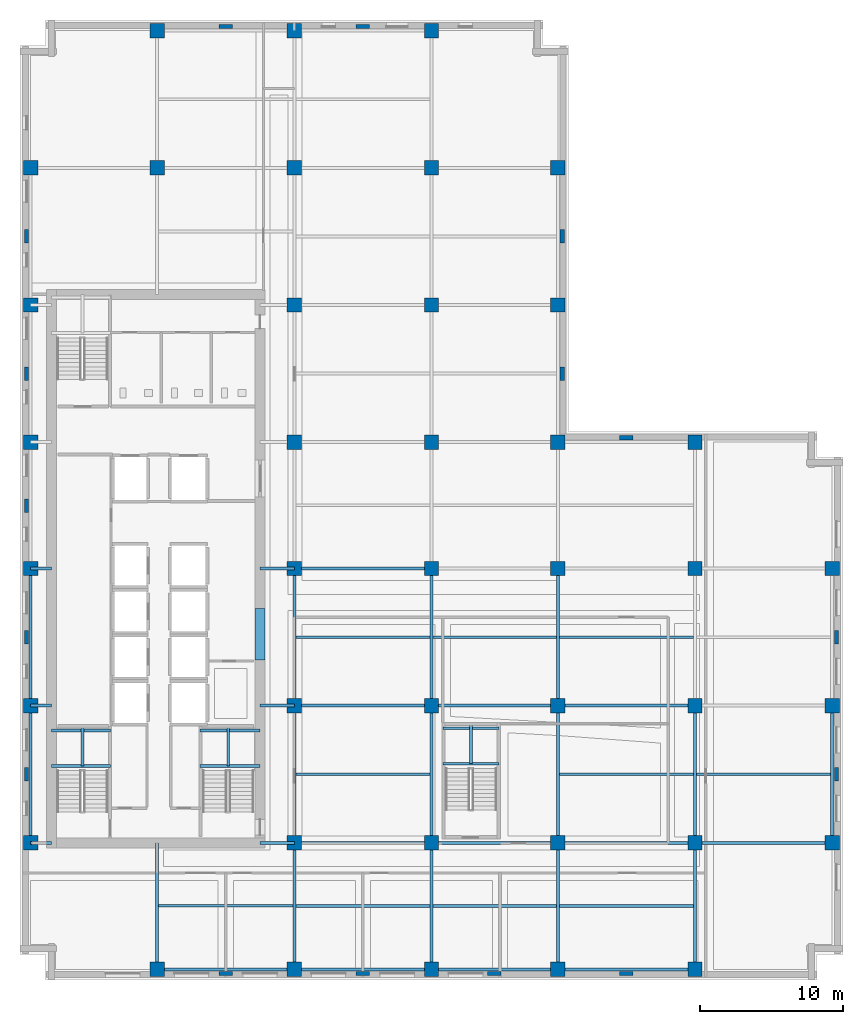
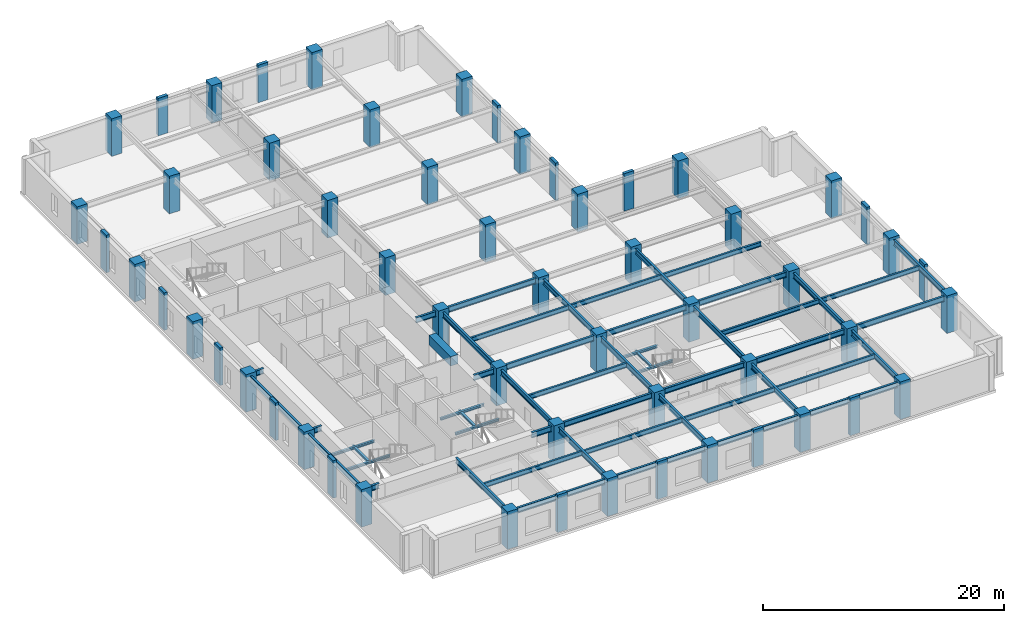
# One storey, part 1 of 11: 56 columns, 53 beams.
"""IFC4 building model written with IfcOpenShell, lengths in metres."""

from ifc_helpers import new_model, si_unit, direction, frame, origin, origin_2d, place, context, subcontext, project, spatial, rectangle, i_section, extrude, material, material_profile, profile_set, type_object, element, save


model = new_model("IFC4")

# Units and contexts
model_context = context("Model", 3, precision=1e-05, world=origin(), true_north=direction((0.0, 1.0)))
body_context = subcontext(model_context, "Body", "Model", "MODEL_VIEW")
ifc_project = project(units=[si_unit("LENGTHUNIT", "METRE"), si_unit("AREAUNIT", "SQUARE_METRE"), si_unit("VOLUMEUNIT", "CUBIC_METRE"), si_unit("PLANEANGLEUNIT", "RADIAN"), si_unit("MASSUNIT", "GRAM", prefix="KILO")], contexts=[model_context])

# Site, building, storey
site_placement = place(None, origin())
site = spatial("IfcSite", under=ifc_project, at=site_placement, CompositionType="ELEMENT")
building_placement = place(site_placement, origin())
building = spatial("IfcBuilding", under=site, at=building_placement, Name="Norrvale University Quadrangle", CompositionType="ELEMENT")
storey_placement = place(building_placement, frame((0.0, 0.0, 128.0)))
storey = spatial("IfcBuildingStorey", under=building, at=storey_placement, Name="L32", CompositionType="ELEMENT", Elevation=128.0)

# Columns
ifc_material_1 = material(Name="Red Manganese Brick Concrete C60/75", Category="concrete")
ifc_material_profile_1 = material_profile(ifc_material_1, rectangle(XDim=0.949951171875, YDim=0.300048828125, at=origin_2d()), Name="Red Manganese Brick Concrete C60/75")
ifc_profile_set_1 = profile_set([ifc_material_profile_1], Name="Red Manganese Brick Concrete C60/75")
column_type_1 = type_object("IfcColumnType", Name="Column Brick Pier 950x300", PredefinedType="PILASTER", material=ifc_profile_set_1)
for number, where, z_axis, x_axis, name in (
    (1, (0.449951171875, 14.39990234375, 0.0), (0.0, 0.0, 1.0), (0.0, 1.0, 0.0), "Exterior Brick Facade Pilaster L32-01"),
    (2, (0.449951171875, 24.0, 0.0), (0.0, 0.0, 1.0), (0.0, 1.0, 0.0), "Exterior Brick Facade Pilaster L32-02"),
    (3, (0.449951171875, 33.199951171875, 0.0), (0.0, 0.0, 1.0), (0.0, 1.0, 0.0), "Exterior Brick Facade Pilaster L32-03"),
    (4, (0.449951171875, 42.449951171875, 0.0), (0.0, 0.0, 1.0), (0.0, 1.0, 0.0), "Exterior Brick Facade Pilaster L32-04"),
    (5, (0.449951171875, 52.050048828125, 0.0), (0.0, 0.0, 1.0), (0.0, 1.0, 0.0), "Exterior Brick Facade Pilaster L32-05"),
    (6, (14.39990234375, 0.449951171875, 0.0), (0.0, 0.0, 1.0), (1.0, 0.0, 0.0), "Exterior Brick Facade Pilaster L32-06"),
    (7, (24.0, 0.449951171875, 0.0), (0.0, 0.0, 1.0), (1.0, 0.0, 0.0), "Exterior Brick Facade Pilaster L32-07"),
    (8, (33.199951171875, 0.449951171875, 0.0), (0.0, 0.0, 1.0), (1.0, 0.0, 0.0), "Exterior Brick Facade Pilaster L32-08"),
    (9, (42.449951171875, 0.449951171875, 0.0), (0.0, 0.0, 1.0), (1.0, 0.0, 0.0), "Exterior Brick Facade Pilaster L32-09"),
    (10, (57.14990234375, 14.39990234375, 0.0), (0.0, 0.0, 1.0), (0.0, 1.0, 0.0), "Exterior Brick Facade Pilaster L32-10"),
    (11, (57.14990234375, 24.0, 0.0), (0.0, 0.0, 1.0), (0.0, 1.0, 0.0), "Exterior Brick Facade Pilaster L32-11"),
    (12, (14.39990234375, 66.75, 0.0), (0.0, 0.0, 1.0), (1.0, 0.0, 0.0), "Exterior Brick Facade Pilaster L32-12"),
    (13, (24.0, 66.75, 0.0), (0.0, 0.0, 1.0), (1.0, 0.0, 0.0), "Exterior Brick Facade Pilaster L32-13"),
    (14, (37.949951171875, 42.449951171875, 0.0), (0.0, 0.0, 1.0), (0.0, 1.0, 0.0), "Exterior Brick Facade Pilaster L32-14"),
    (15, (37.949951171875, 52.050048828125, 0.0), (0.0, 0.0, 1.0), (0.0, 1.0, 0.0), "Exterior Brick Facade Pilaster L32-15"),
    (16, (42.449951171875, 37.949951171875, 0.0), (0.0, 0.0, 1.0), (1.0, 0.0, 0.0), "Exterior Brick Facade Pilaster L32-16"),
):
    element("IfcColumn", number, at=place(storey_placement, frame(where, z_axis=z_axis, x_axis=x_axis)), inside=storey, type_object=column_type_1, Name=name, PredefinedType="PILASTER", context=body_context, shape_type="SweptSolid", body=[
        extrude(rectangle(XDim=0.949951171875, YDim=0.300048828125, at=origin_2d()), origin(), (0.0, 0.0, 1.0), 3.800048828125),
    ])
ifc_material_2 = material(Name="Concrete C60/75", Category="concrete")
ifc_material_profile_2 = material_profile(ifc_material_2, rectangle(XDim=1.0, YDim=1.0, at=origin_2d()), Name="Concrete C60/75")
ifc_profile_set_2 = profile_set([ifc_material_profile_2], Name="Concrete C60/75")
column_type_2 = type_object("IfcColumnType", Name="Column Tower Z2 1000x1000", PredefinedType="COLUMN", material=ifc_profile_set_2)
for number, where, z_axis, x_axis, name in (
    (17, (0.75, 9.60009765625, 0.0), (0.0, 0.0, 1.0), (1.0, 0.0, 0.0), "Tower Column L32-T01"),
    (18, (0.75, 19.199951171875, 0.0), (0.0, 0.0, 1.0), (1.0, 0.0, 0.0), "Tower Column L32-T02"),
    (19, (0.75, 28.800048828125, 0.0), (0.0, 0.0, 1.0), (1.0, 0.0, 0.0), "Tower Column L32-T03"),
    (20, (0.75, 37.64990234375, 0.0), (0.0, 0.0, 1.0), (1.0, 0.0, 0.0), "Tower Column L32-T04"),
    (21, (0.75, 47.25, 0.0), (0.0, 0.0, 1.0), (1.0, 0.0, 0.0), "Tower Column L32-T05"),
    (22, (0.75, 56.85009765625, 0.0), (0.0, 0.0, 1.0), (1.0, 0.0, 0.0), "Tower Column L32-T06"),
    (23, (9.60009765625, 0.75, 0.0), (0.0, 0.0, 1.0), (1.0, 0.0, 0.0), "Tower Column L32-T07"),
    (24, (9.60009765625, 56.85009765625, 0.0), (0.0, 0.0, 1.0), (1.0, 0.0, 0.0), "Tower Column L32-T08"),
    (25, (9.60009765625, 66.449951171875, 0.0), (0.0, 0.0, 1.0), (1.0, 0.0, 0.0), "Tower Column L32-T09"),
    (26, (19.199951171875, 0.75, 0.0), (0.0, 0.0, 1.0), (1.0, 0.0, 0.0), "Tower Column L32-T10"),
    (27, (19.199951171875, 9.60009765625, 0.0), (0.0, 0.0, 1.0), (1.0, 0.0, 0.0), "Tower Column L32-T11"),
    (28, (19.199951171875, 19.199951171875, 0.0), (0.0, 0.0, 1.0), (1.0, 0.0, 0.0), "Tower Column L32-T12"),
    (29, (19.199951171875, 28.800048828125, 0.0), (0.0, 0.0, 1.0), (1.0, 0.0, 0.0), "Tower Column L32-T13"),
    (30, (19.199951171875, 37.64990234375, 0.0), (0.0, 0.0, 1.0), (1.0, 0.0, 0.0), "Tower Column L32-T14"),
    (31, (19.199951171875, 47.25, 0.0), (0.0, 0.0, 1.0), (1.0, 0.0, 0.0), "Tower Column L32-T15"),
    (32, (19.199951171875, 56.85009765625, 0.0), (0.0, 0.0, 1.0), (1.0, 0.0, 0.0), "Tower Column L32-T16"),
    (33, (19.199951171875, 66.449951171875, 0.0), (0.0, 0.0, 1.0), (1.0, 0.0, 0.0), "Tower Column L32-T17"),
    (34, (28.800048828125, 0.75, 0.0), (0.0, 0.0, 1.0), (1.0, 0.0, 0.0), "Tower Column L32-T18"),
    (35, (28.800048828125, 9.60009765625, 0.0), (0.0, 0.0, 1.0), (1.0, 0.0, 0.0), "Tower Column L32-T19"),
    (36, (28.800048828125, 19.199951171875, 0.0), (0.0, 0.0, 1.0), (1.0, 0.0, 0.0), "Tower Column L32-T20"),
    (37, (28.800048828125, 28.800048828125, 0.0), (0.0, 0.0, 1.0), (1.0, 0.0, 0.0), "Tower Column L32-T21"),
    (38, (28.800048828125, 37.64990234375, 0.0), (0.0, 0.0, 1.0), (1.0, 0.0, 0.0), "Tower Column L32-T22"),
    (39, (28.800048828125, 47.25, 0.0), (0.0, 0.0, 1.0), (1.0, 0.0, 0.0), "Tower Column L32-T23"),
    (40, (28.800048828125, 56.85009765625, 0.0), (0.0, 0.0, 1.0), (1.0, 0.0, 0.0), "Tower Column L32-T24"),
    (41, (28.800048828125, 66.449951171875, 0.0), (0.0, 0.0, 1.0), (1.0, 0.0, 0.0), "Tower Column L32-T25"),
    (42, (37.64990234375, 0.75, 0.0), (0.0, 0.0, 1.0), (1.0, 0.0, 0.0), "Tower Column L32-T26"),
    (43, (37.64990234375, 9.60009765625, 0.0), (0.0, 0.0, 1.0), (1.0, 0.0, 0.0), "Tower Column L32-T27"),
    (44, (37.64990234375, 19.199951171875, 0.0), (0.0, 0.0, 1.0), (1.0, 0.0, 0.0), "Tower Column L32-T28"),
    (45, (37.64990234375, 28.800048828125, 0.0), (0.0, 0.0, 1.0), (1.0, 0.0, 0.0), "Tower Column L32-T29"),
    (46, (37.64990234375, 37.64990234375, 0.0), (0.0, 0.0, 1.0), (1.0, 0.0, 0.0), "Tower Column L32-T30"),
    (47, (37.64990234375, 47.25, 0.0), (0.0, 0.0, 1.0), (1.0, 0.0, 0.0), "Tower Column L32-T31"),
    (48, (37.64990234375, 56.85009765625, 0.0), (0.0, 0.0, 1.0), (1.0, 0.0, 0.0), "Tower Column L32-T32"),
    (49, (47.25, 0.75, 0.0), (0.0, 0.0, 1.0), (1.0, 0.0, 0.0), "Tower Column L32-T33"),
    (50, (47.25, 9.60009765625, 0.0), (0.0, 0.0, 1.0), (1.0, 0.0, 0.0), "Tower Column L32-T34"),
    (51, (47.25, 19.199951171875, 0.0), (0.0, 0.0, 1.0), (1.0, 0.0, 0.0), "Tower Column L32-T35"),
    (52, (47.25, 28.800048828125, 0.0), (0.0, 0.0, 1.0), (1.0, 0.0, 0.0), "Tower Column L32-T36"),
    (53, (47.25, 37.64990234375, 0.0), (0.0, 0.0, 1.0), (1.0, 0.0, 0.0), "Tower Column L32-T37"),
    (54, (56.85009765625, 9.60009765625, 0.0), (0.0, 0.0, 1.0), (1.0, 0.0, 0.0), "Tower Column L32-T38"),
    (55, (56.85009765625, 19.199951171875, 0.0), (0.0, 0.0, 1.0), (1.0, 0.0, 0.0), "Tower Column L32-T39"),
    (56, (56.85009765625, 28.800048828125, 0.0), (0.0, 0.0, 1.0), (1.0, 0.0, 0.0), "Tower Column L32-T40"),
):
    element("IfcColumn", number, at=place(storey_placement, frame(where, z_axis=z_axis, x_axis=x_axis)), inside=storey, type_object=column_type_2, Name=name, PredefinedType="COLUMN", context=body_context, shape_type="SweptSolid", body=[
        extrude(rectangle(XDim=1.0, YDim=1.0, at=origin_2d()), origin(), (0.0, 0.0, 1.0), 3.800048828125),
    ])

# Beams
ifc_material_3 = material(Name="Concrete C80/95", Category="concrete")
ifc_material_profile_3 = material_profile(ifc_material_3, rectangle(XDim=0.699951171875, YDim=0.949951171875, at=origin_2d()), Name="Concrete C80/95")
ifc_profile_set_3 = profile_set([ifc_material_profile_3], Name="Concrete C80/95")
beam_type_1 = type_object("IfcBeamType", Name="Beam Core Link 700x950", PredefinedType="LINTEL", material=ifc_profile_set_3)
beam_1_placement = place(storey_placement, frame((16.800048828125, 22.39990234375, 3.06494140625), z_axis=(0.0, 1.0, 0.0), x_axis=(-1.0, 0.0, 0.0)))
element("IfcBeam", 57, at=beam_1_placement, inside=storey, type_object=beam_type_1, Name="Core Coupling Lintel Beam L32-1", PredefinedType="LINTEL", context=body_context, shape_type="SweptSolid", body=[
    extrude(rectangle(XDim=0.699951171875, YDim=0.949951171875, at=origin_2d()), origin(), (0.0, 0.0, 1.0), 3.60009765625),
])
ifc_material_4 = material(Name="Steel 350W", Category="steel")
ifc_material_profile_4 = material_profile(ifc_material_4, i_section(OverallWidth=0.18994140625, OverallDepth=0.45703125, WebThickness=0.009033203125, FlangeThickness=0.014404296875, FilletRadius=0.012939453125, at=origin_2d()), Name="Steel 350W")
ifc_profile_set_4 = profile_set([ifc_material_profile_4], Name="Steel 350W")
beam_type_2 = type_object("IfcBeamType", Name="Beam Floor W460x74", PredefinedType="JOIST", material=ifc_profile_set_4)
for number, where, z_axis, x_axis, name in (
    (58, (19.305908203125, 5.175048828125, 3.3115234375), (1.0, 0.0, 0.0), (0.0, 1.0, 0.0), "Beam Floor W460x74 BM-L32-J071"),
    (59, (19.305908203125, 14.39990234375, 3.3115234375), (1.0, 0.0, 0.0), (0.0, 1.0, 0.0), "Beam Floor W460x74 BM-L32-J072"),
    (60, (19.305908203125, 24.0, 3.3115234375), (1.0, 0.0, 0.0), (0.0, 1.0, 0.0), "Beam Floor W460x74 BM-L32-J073"),
):
    element("IfcBeam", number, at=place(storey_placement, frame(where, z_axis=z_axis, x_axis=x_axis)), inside=storey, type_object=beam_type_2, Name=name, PredefinedType="JOIST", context=body_context, shape_type="SweptSolid", body=[
        extrude(i_section(OverallWidth=0.18994140625, OverallDepth=0.45703125, WebThickness=0.009033203125, FlangeThickness=0.014404296875, FilletRadius=0.012939453125, at=origin_2d()), origin(), (0.0, 0.0, 1.0), 9.38818359375),
    ])
for number, where, z_axis, x_axis, name in (
    (61, (28.906005859375, 5.175048828125, 3.3115234375), (1.0, 0.0, 0.0), (0.0, 1.0, 0.0), "Beam Floor W460x74 BM-L32-J078"),
    (62, (28.906005859375, 24.0, 3.3115234375), (1.0, 0.0, 0.0), (0.0, 1.0, 0.0), "Beam Floor W460x74 BM-L32-J079"),
):
    element("IfcBeam", number, at=place(storey_placement, frame(where, z_axis=z_axis, x_axis=x_axis)), inside=storey, type_object=beam_type_2, Name=name, PredefinedType="JOIST", context=body_context, shape_type="SweptSolid", body=[
        extrude(i_section(OverallWidth=0.18994140625, OverallDepth=0.45703125, WebThickness=0.009033203125, FlangeThickness=0.014404296875, FilletRadius=0.012939453125, at=origin_2d()), origin(), (0.0, 0.0, 1.0), 8.637939453125),
    ])
for number, where, z_axis, x_axis, name in (
    (63, (37.756103515625, 5.175048828125, 3.3115234375), (1.0, 0.0, 0.0), (0.0, 1.0, 0.0), "Beam Floor W460x74 BM-L32-J083"),
    (64, (37.756103515625, 14.39990234375, 3.3115234375), (1.0, 0.0, 0.0), (0.0, 1.0, 0.0), "Beam Floor W460x74 BM-L32-J084"),
    (65, (37.756103515625, 24.0, 3.3115234375), (1.0, 0.0, 0.0), (0.0, 1.0, 0.0), "Beam Floor W460x74 BM-L32-J085"),
    (66, (47.35595703125, 14.39990234375, 3.3115234375), (1.0, 0.0, 0.0), (0.0, 1.0, 0.0), "Beam Floor W460x74 BM-L32-J087"),
    (67, (9.7060546875, 5.199951171875, 3.3115234375), (1.0, 0.0, 0.0), (0.0, 1.0, 0.0), "Beam Floor W460x74 BM-L32-JCS090"),
):
    element("IfcBeam", number, at=place(storey_placement, frame(where, z_axis=z_axis, x_axis=x_axis)), inside=storey, type_object=beam_type_2, Name=name, PredefinedType="JOIST", context=body_context, shape_type="SweptSolid", body=[
        extrude(i_section(OverallWidth=0.18994140625, OverallDepth=0.45703125, WebThickness=0.009033203125, FlangeThickness=0.014404296875, FilletRadius=0.012939453125, at=origin_2d()), origin(), (0.0, 0.0, 1.0), 9.387939453125),
    ])
ifc_material_profile_5 = material_profile(ifc_material_4, i_section(OverallWidth=0.2119140625, OverallDepth=0.5439453125, WebThickness=0.01318359375, FlangeThickness=0.021240234375, FilletRadius=0.013916015625, at=origin_2d()), Name="Steel 350W")
ifc_profile_set_5 = profile_set([ifc_material_profile_5], Name="Steel 350W")
beam_type_3 = type_object("IfcBeamType", Name="Beam Floor W530x123", PredefinedType="BEAM", material=ifc_profile_set_5)
beam_2_placement = place(storey_placement, frame((9.60009765625, 0.75, 3.26806640625), z_axis=(1.0, 0.0, 0.0), x_axis=(0.0, 1.0, 0.0)))
element("IfcBeam", 68, at=beam_2_placement, inside=storey, type_object=beam_type_3, Name="Beam Floor W530x123 BM-L32-GX001", PredefinedType="BEAM", context=body_context, shape_type="SweptSolid", body=[
    extrude(i_section(OverallWidth=0.2119140625, OverallDepth=0.5439453125, WebThickness=0.01318359375, FlangeThickness=0.021240234375, FilletRadius=0.013916015625, at=origin_2d()), origin(), (0.0, 0.0, 1.0), 9.599853515625),
])
beam_3_placement = place(storey_placement, frame((19.199951171875, 0.75, 3.26806640625), z_axis=(1.0, 0.0, 0.0), x_axis=(0.0, 1.0, 0.0)))
element("IfcBeam", 69, at=beam_3_placement, inside=storey, type_object=beam_type_3, Name="Beam Floor W530x123 BM-L32-GX002", PredefinedType="BEAM", context=body_context, shape_type="SweptSolid", body=[
    extrude(i_section(OverallWidth=0.2119140625, OverallDepth=0.5439453125, WebThickness=0.01318359375, FlangeThickness=0.021240234375, FilletRadius=0.013916015625, at=origin_2d()), origin(), (0.0, 0.0, 1.0), 9.60009765625),
])
beam_4_placement = place(storey_placement, frame((28.800048828125, 0.75, 3.26806640625), z_axis=(1.0, 0.0, 0.0), x_axis=(0.0, 1.0, 0.0)))
element("IfcBeam", 70, at=beam_4_placement, inside=storey, type_object=beam_type_3, Name="Beam Floor W530x123 BM-L32-GX003", PredefinedType="BEAM", context=body_context, shape_type="SweptSolid", body=[
    extrude(i_section(OverallWidth=0.2119140625, OverallDepth=0.5439453125, WebThickness=0.01318359375, FlangeThickness=0.021240234375, FilletRadius=0.013916015625, at=origin_2d()), origin(), (0.0, 0.0, 1.0), 8.849853515625),
])
for number, where, z_axis, x_axis, name in (
    (71, (37.64990234375, 0.75, 3.26806640625), (1.0, 0.0, 0.0), (0.0, 1.0, 0.0), "Beam Floor W530x123 BM-L32-GX004"),
    (72, (19.199951171875, 9.60009765625, 3.26806640625), (1.0, 0.0, 0.0), (0.0, 1.0, 0.0), "Beam Floor W530x123 BM-L32-GX005"),
):
    element("IfcBeam", number, at=place(storey_placement, frame(where, z_axis=z_axis, x_axis=x_axis)), inside=storey, type_object=beam_type_3, Name=name, PredefinedType="BEAM", context=body_context, shape_type="SweptSolid", body=[
        extrude(i_section(OverallWidth=0.2119140625, OverallDepth=0.5439453125, WebThickness=0.01318359375, FlangeThickness=0.021240234375, FilletRadius=0.013916015625, at=origin_2d()), origin(), (0.0, 0.0, 1.0), 9.60009765625),
    ])
beam_5_placement = place(storey_placement, frame((28.800048828125, 9.60009765625, 3.26806640625), z_axis=(1.0, 0.0, 0.0), x_axis=(0.0, 1.0, 0.0)))
element("IfcBeam", 73, at=beam_5_placement, inside=storey, type_object=beam_type_3, Name="Beam Floor W530x123 BM-L32-GX006", PredefinedType="BEAM", context=body_context, shape_type="SweptSolid", body=[
    extrude(i_section(OverallWidth=0.2119140625, OverallDepth=0.5439453125, WebThickness=0.01318359375, FlangeThickness=0.021240234375, FilletRadius=0.013916015625, at=origin_2d()), origin(), (0.0, 0.0, 1.0), 8.849853515625),
])
for number, where, z_axis, x_axis, name in (
    (74, (37.64990234375, 9.60009765625, 3.26806640625), (1.0, 0.0, 0.0), (0.0, 1.0, 0.0), "Beam Floor W530x123 BM-L32-GX007"),
    (75, (47.25, 9.60009765625, 3.26806640625), (1.0, 0.0, 0.0), (0.0, 1.0, 0.0), "Beam Floor W530x123 BM-L32-GX008"),
    (76, (19.199951171875, 19.199951171875, 3.26806640625), (1.0, 0.0, 0.0), (0.0, 1.0, 0.0), "Beam Floor W530x123 BM-L32-GX009"),
):
    element("IfcBeam", number, at=place(storey_placement, frame(where, z_axis=z_axis, x_axis=x_axis)), inside=storey, type_object=beam_type_3, Name=name, PredefinedType="BEAM", context=body_context, shape_type="SweptSolid", body=[
        extrude(i_section(OverallWidth=0.2119140625, OverallDepth=0.5439453125, WebThickness=0.01318359375, FlangeThickness=0.021240234375, FilletRadius=0.013916015625, at=origin_2d()), origin(), (0.0, 0.0, 1.0), 9.60009765625),
    ])
beam_6_placement = place(storey_placement, frame((28.800048828125, 19.199951171875, 3.26806640625), z_axis=(1.0, 0.0, 0.0), x_axis=(0.0, 1.0, 0.0)))
element("IfcBeam", 77, at=beam_6_placement, inside=storey, type_object=beam_type_3, Name="Beam Floor W530x123 BM-L32-GX010", PredefinedType="BEAM", context=body_context, shape_type="SweptSolid", body=[
    extrude(i_section(OverallWidth=0.2119140625, OverallDepth=0.5439453125, WebThickness=0.01318359375, FlangeThickness=0.021240234375, FilletRadius=0.013916015625, at=origin_2d()), origin(), (0.0, 0.0, 1.0), 8.849853515625),
])
for number, where, z_axis, x_axis, name in (
    (78, (37.64990234375, 19.199951171875, 3.26806640625), (1.0, 0.0, 0.0), (0.0, 1.0, 0.0), "Beam Floor W530x123 BM-L32-GX011"),
    (79, (19.199951171875, 28.800048828125, 3.26806640625), (1.0, 0.0, 0.0), (0.0, 1.0, 0.0), "Beam Floor W530x123 BM-L32-GX013"),
):
    element("IfcBeam", number, at=place(storey_placement, frame(where, z_axis=z_axis, x_axis=x_axis)), inside=storey, type_object=beam_type_3, Name=name, PredefinedType="BEAM", context=body_context, shape_type="SweptSolid", body=[
        extrude(i_section(OverallWidth=0.2119140625, OverallDepth=0.5439453125, WebThickness=0.01318359375, FlangeThickness=0.021240234375, FilletRadius=0.013916015625, at=origin_2d()), origin(), (0.0, 0.0, 1.0), 9.60009765625),
    ])
beam_7_placement = place(storey_placement, frame((0.75, 9.60009765625, 3.26806640625), z_axis=(0.0, 1.0, 0.0), x_axis=(-1.0, 0.0, 0.0)))
element("IfcBeam", 80, at=beam_7_placement, inside=storey, type_object=beam_type_3, Name="Beam Floor W530x123 BM-L32-GY028", PredefinedType="BEAM", context=body_context, shape_type="SweptSolid", body=[
    extrude(i_section(OverallWidth=0.2119140625, OverallDepth=0.5439453125, WebThickness=0.01318359375, FlangeThickness=0.021240234375, FilletRadius=0.013916015625, at=origin_2d()), origin(), (0.0, 0.0, 1.0), 9.599853515625),
])
beam_8_placement = place(storey_placement, frame((0.75, 19.199951171875, 3.26806640625), z_axis=(0.0, 1.0, 0.0), x_axis=(-1.0, 0.0, 0.0)))
element("IfcBeam", 81, at=beam_8_placement, inside=storey, type_object=beam_type_3, Name="Beam Floor W530x123 BM-L32-GY029", PredefinedType="BEAM", context=body_context, shape_type="SweptSolid", body=[
    extrude(i_section(OverallWidth=0.2119140625, OverallDepth=0.5439453125, WebThickness=0.01318359375, FlangeThickness=0.021240234375, FilletRadius=0.013916015625, at=origin_2d()), origin(), (0.0, 0.0, 1.0), 9.60009765625),
])
beam_9_placement = place(storey_placement, frame((19.199951171875, 0.75, 3.26806640625), z_axis=(0.0, 1.0, 0.0), x_axis=(-1.0, 0.0, 0.0)))
element("IfcBeam", 82, at=beam_9_placement, inside=storey, type_object=beam_type_3, Name="Beam Floor W530x123 BM-L32-GY034", PredefinedType="BEAM", context=body_context, shape_type="SweptSolid", body=[
    extrude(i_section(OverallWidth=0.2119140625, OverallDepth=0.5439453125, WebThickness=0.01318359375, FlangeThickness=0.021240234375, FilletRadius=0.013916015625, at=origin_2d()), origin(), (0.0, 0.0, 1.0), 8.85009765625),
])
beam_10_placement = place(storey_placement, frame((19.199951171875, 9.60009765625, 3.26806640625), z_axis=(0.0, 1.0, 0.0), x_axis=(-1.0, 0.0, 0.0)))
element("IfcBeam", 83, at=beam_10_placement, inside=storey, type_object=beam_type_3, Name="Beam Floor W530x123 BM-L32-GY035", PredefinedType="BEAM", context=body_context, shape_type="SweptSolid", body=[
    extrude(i_section(OverallWidth=0.2119140625, OverallDepth=0.5439453125, WebThickness=0.01318359375, FlangeThickness=0.021240234375, FilletRadius=0.013916015625, at=origin_2d()), origin(), (0.0, 0.0, 1.0), 9.599853515625),
])
beam_11_placement = place(storey_placement, frame((19.199951171875, 19.199951171875, 3.26806640625), z_axis=(0.0, 1.0, 0.0), x_axis=(-1.0, 0.0, 0.0)))
element("IfcBeam", 84, at=beam_11_placement, inside=storey, type_object=beam_type_3, Name="Beam Floor W530x123 BM-L32-GY036", PredefinedType="BEAM", context=body_context, shape_type="SweptSolid", body=[
    extrude(i_section(OverallWidth=0.2119140625, OverallDepth=0.5439453125, WebThickness=0.01318359375, FlangeThickness=0.021240234375, FilletRadius=0.013916015625, at=origin_2d()), origin(), (0.0, 0.0, 1.0), 9.60009765625),
])
beam_12_placement = place(storey_placement, frame((28.800048828125, 0.75, 3.26806640625), z_axis=(0.0, 1.0, 0.0), x_axis=(-1.0, 0.0, 0.0)))
element("IfcBeam", 85, at=beam_12_placement, inside=storey, type_object=beam_type_3, Name="Beam Floor W530x123 BM-L32-GY041", PredefinedType="BEAM", context=body_context, shape_type="SweptSolid", body=[
    extrude(i_section(OverallWidth=0.2119140625, OverallDepth=0.5439453125, WebThickness=0.01318359375, FlangeThickness=0.021240234375, FilletRadius=0.013916015625, at=origin_2d()), origin(), (0.0, 0.0, 1.0), 8.85009765625),
])
beam_13_placement = place(storey_placement, frame((28.800048828125, 9.60009765625, 3.26806640625), z_axis=(0.0, 1.0, 0.0), x_axis=(-1.0, 0.0, 0.0)))
element("IfcBeam", 86, at=beam_13_placement, inside=storey, type_object=beam_type_3, Name="Beam Floor W530x123 BM-L32-GY042", PredefinedType="BEAM", context=body_context, shape_type="SweptSolid", body=[
    extrude(i_section(OverallWidth=0.2119140625, OverallDepth=0.5439453125, WebThickness=0.01318359375, FlangeThickness=0.021240234375, FilletRadius=0.013916015625, at=origin_2d()), origin(), (0.0, 0.0, 1.0), 9.599853515625),
])
beam_14_placement = place(storey_placement, frame((28.800048828125, 19.199951171875, 3.26806640625), z_axis=(0.0, 1.0, 0.0), x_axis=(-1.0, 0.0, 0.0)))
element("IfcBeam", 87, at=beam_14_placement, inside=storey, type_object=beam_type_3, Name="Beam Floor W530x123 BM-L32-GY043", PredefinedType="BEAM", context=body_context, shape_type="SweptSolid", body=[
    extrude(i_section(OverallWidth=0.2119140625, OverallDepth=0.5439453125, WebThickness=0.01318359375, FlangeThickness=0.021240234375, FilletRadius=0.013916015625, at=origin_2d()), origin(), (0.0, 0.0, 1.0), 9.60009765625),
])
beam_15_placement = place(storey_placement, frame((37.64990234375, 0.75, 3.26806640625), z_axis=(0.0, 1.0, 0.0), x_axis=(-1.0, 0.0, 0.0)))
element("IfcBeam", 88, at=beam_15_placement, inside=storey, type_object=beam_type_3, Name="Beam Floor W530x123 BM-L32-GY048", PredefinedType="BEAM", context=body_context, shape_type="SweptSolid", body=[
    extrude(i_section(OverallWidth=0.2119140625, OverallDepth=0.5439453125, WebThickness=0.01318359375, FlangeThickness=0.021240234375, FilletRadius=0.013916015625, at=origin_2d()), origin(), (0.0, 0.0, 1.0), 8.85009765625),
])
beam_16_placement = place(storey_placement, frame((37.64990234375, 9.60009765625, 3.26806640625), z_axis=(0.0, 1.0, 0.0), x_axis=(-1.0, 0.0, 0.0)))
element("IfcBeam", 89, at=beam_16_placement, inside=storey, type_object=beam_type_3, Name="Beam Floor W530x123 BM-L32-GY049", PredefinedType="BEAM", context=body_context, shape_type="SweptSolid", body=[
    extrude(i_section(OverallWidth=0.2119140625, OverallDepth=0.5439453125, WebThickness=0.01318359375, FlangeThickness=0.021240234375, FilletRadius=0.013916015625, at=origin_2d()), origin(), (0.0, 0.0, 1.0), 9.599853515625),
])
beam_17_placement = place(storey_placement, frame((37.64990234375, 19.199951171875, 3.26806640625), z_axis=(0.0, 1.0, 0.0), x_axis=(-1.0, 0.0, 0.0)))
element("IfcBeam", 90, at=beam_17_placement, inside=storey, type_object=beam_type_3, Name="Beam Floor W530x123 BM-L32-GY050", PredefinedType="BEAM", context=body_context, shape_type="SweptSolid", body=[
    extrude(i_section(OverallWidth=0.2119140625, OverallDepth=0.5439453125, WebThickness=0.01318359375, FlangeThickness=0.021240234375, FilletRadius=0.013916015625, at=origin_2d()), origin(), (0.0, 0.0, 1.0), 9.60009765625),
])
beam_18_placement = place(storey_placement, frame((47.25, 0.75, 3.26806640625), z_axis=(0.0, 1.0, 0.0), x_axis=(-1.0, 0.0, 0.0)))
element("IfcBeam", 91, at=beam_18_placement, inside=storey, type_object=beam_type_3, Name="Beam Floor W530x123 BM-L32-GY054", PredefinedType="BEAM", context=body_context, shape_type="SweptSolid", body=[
    extrude(i_section(OverallWidth=0.2119140625, OverallDepth=0.5439453125, WebThickness=0.01318359375, FlangeThickness=0.021240234375, FilletRadius=0.013916015625, at=origin_2d()), origin(), (0.0, 0.0, 1.0), 8.85009765625),
])
for number, where, z_axis, x_axis, name in (
    (92, (47.25, 9.60009765625, 3.26806640625), (0.0, 1.0, 0.0), (-1.0, 0.0, 0.0), "Beam Floor W530x123 BM-L32-GY055"),
    (93, (56.85009765625, 9.60009765625, 3.26806640625), (0.0, 1.0, 0.0), (-1.0, 0.0, 0.0), "Beam Floor W530x123 BM-L32-GY058"),
):
    element("IfcBeam", number, at=place(storey_placement, frame(where, z_axis=z_axis, x_axis=x_axis)), inside=storey, type_object=beam_type_3, Name=name, PredefinedType="BEAM", context=body_context, shape_type="SweptSolid", body=[
        extrude(i_section(OverallWidth=0.2119140625, OverallDepth=0.5439453125, WebThickness=0.01318359375, FlangeThickness=0.021240234375, FilletRadius=0.013916015625, at=origin_2d()), origin(), (0.0, 0.0, 1.0), 9.599853515625),
    ])
beam_19_placement = place(storey_placement, frame((0.75, 9.60009765625, 3.26806640625), z_axis=(1.0, 0.0, 0.0), x_axis=(0.0, 1.0, 0.0)))
element("IfcBeam", 94, at=beam_19_placement, inside=storey, type_object=beam_type_3, Name="Beam Floor W530x123 BM-L32-GCW060", PredefinedType="BEAM", context=body_context, shape_type="SweptSolid", body=[
    extrude(i_section(OverallWidth=0.2119140625, OverallDepth=0.5439453125, WebThickness=0.01318359375, FlangeThickness=0.021240234375, FilletRadius=0.013916015625, at=origin_2d()), origin(), (0.0, 0.0, 1.0), 1.449951171875),
])
beam_20_placement = place(storey_placement, frame((16.800048828125, 9.60009765625, 3.26806640625), z_axis=(1.0, 0.0, 0.0), x_axis=(0.0, 1.0, 0.0)))
element("IfcBeam", 95, at=beam_20_placement, inside=storey, type_object=beam_type_3, Name="Beam Floor W530x123 BM-L32-GCE061", PredefinedType="BEAM", context=body_context, shape_type="SweptSolid", body=[
    extrude(i_section(OverallWidth=0.2119140625, OverallDepth=0.5439453125, WebThickness=0.01318359375, FlangeThickness=0.021240234375, FilletRadius=0.013916015625, at=origin_2d()), origin(), (0.0, 0.0, 1.0), 2.39990234375),
])
beam_21_placement = place(storey_placement, frame((0.75, 19.199951171875, 3.26806640625), z_axis=(1.0, 0.0, 0.0), x_axis=(0.0, 1.0, 0.0)))
element("IfcBeam", 96, at=beam_21_placement, inside=storey, type_object=beam_type_3, Name="Beam Floor W530x123 BM-L32-GCW062", PredefinedType="BEAM", context=body_context, shape_type="SweptSolid", body=[
    extrude(i_section(OverallWidth=0.2119140625, OverallDepth=0.5439453125, WebThickness=0.01318359375, FlangeThickness=0.021240234375, FilletRadius=0.013916015625, at=origin_2d()), origin(), (0.0, 0.0, 1.0), 1.449951171875),
])
beam_22_placement = place(storey_placement, frame((16.800048828125, 19.199951171875, 3.26806640625), z_axis=(1.0, 0.0, 0.0), x_axis=(0.0, 1.0, 0.0)))
element("IfcBeam", 97, at=beam_22_placement, inside=storey, type_object=beam_type_3, Name="Beam Floor W530x123 BM-L32-GCE063", PredefinedType="BEAM", context=body_context, shape_type="SweptSolid", body=[
    extrude(i_section(OverallWidth=0.2119140625, OverallDepth=0.5439453125, WebThickness=0.01318359375, FlangeThickness=0.021240234375, FilletRadius=0.013916015625, at=origin_2d()), origin(), (0.0, 0.0, 1.0), 2.39990234375),
])
beam_23_placement = place(storey_placement, frame((0.75, 28.800048828125, 3.26806640625), z_axis=(1.0, 0.0, 0.0), x_axis=(0.0, 1.0, 0.0)))
element("IfcBeam", 98, at=beam_23_placement, inside=storey, type_object=beam_type_3, Name="Beam Floor W530x123 BM-L32-GCW064", PredefinedType="BEAM", context=body_context, shape_type="SweptSolid", body=[
    extrude(i_section(OverallWidth=0.2119140625, OverallDepth=0.5439453125, WebThickness=0.01318359375, FlangeThickness=0.021240234375, FilletRadius=0.013916015625, at=origin_2d()), origin(), (0.0, 0.0, 1.0), 1.449951171875),
])
beam_24_placement = place(storey_placement, frame((16.800048828125, 28.800048828125, 3.26806640625), z_axis=(1.0, 0.0, 0.0), x_axis=(0.0, 1.0, 0.0)))
element("IfcBeam", 99, at=beam_24_placement, inside=storey, type_object=beam_type_3, Name="Beam Floor W530x123 BM-L32-GCE065", PredefinedType="BEAM", context=body_context, shape_type="SweptSolid", body=[
    extrude(i_section(OverallWidth=0.2119140625, OverallDepth=0.5439453125, WebThickness=0.01318359375, FlangeThickness=0.021240234375, FilletRadius=0.013916015625, at=origin_2d()), origin(), (0.0, 0.0, 1.0), 2.39990234375),
])
beam_25_placement = place(storey_placement, frame((9.60009765625, 0.75, 3.26806640625), z_axis=(0.0, 1.0, 0.0), x_axis=(-1.0, 0.0, 0.0)))
element("IfcBeam", 100, at=beam_25_placement, inside=storey, type_object=beam_type_3, Name="Beam Floor W530x123 BM-L32-GCS089", PredefinedType="BEAM", context=body_context, shape_type="SweptSolid", body=[
    extrude(i_section(OverallWidth=0.2119140625, OverallDepth=0.5439453125, WebThickness=0.01318359375, FlangeThickness=0.021240234375, FilletRadius=0.013916015625, at=origin_2d()), origin(), (0.0, 0.0, 1.0), 8.85009765625),
])
ifc_material_profile_6 = material_profile(ifc_material_4, i_section(OverallWidth=0.201904296875, OverallDepth=0.2470703125, WebThickness=0.00732421875, FlangeThickness=0.010986328125, FilletRadius=0.011962890625, at=origin_2d()), Name="Steel 350W")
ifc_profile_set_6 = profile_set([ifc_material_profile_6], Name="Steel 350W")
beam_type_4 = type_object("IfcBeamType", Name="Beam Stair W250x49", PredefinedType="BEAM", material=ifc_profile_set_6)
for number, where, z_axis, x_axis, name in (
    (101, (2.199951171875, 14.989990234375, 1.576416015625), (1.0, 0.0, 0.0), (0.0, 1.0, 0.0), "Stair Mid-Landing Front Beam ST-01 L32"),
    (102, (2.199951171875, 17.469970703125, 1.576416015625), (1.0, 0.0, 0.0), (0.0, 1.0, 0.0), "Stair Mid-Landing Rear Beam ST-01 L32"),
):
    element("IfcBeam", number, at=place(storey_placement, frame(where, z_axis=z_axis, x_axis=x_axis)), inside=storey, type_object=beam_type_4, Name=name, PredefinedType="BEAM", context=body_context, shape_type="SweptSolid", body=[
        extrude(i_section(OverallWidth=0.201904296875, OverallDepth=0.2470703125, WebThickness=0.00732421875, FlangeThickness=0.010986328125, FilletRadius=0.011962890625, at=origin_2d()), origin(), (0.0, 0.0, 1.0), 4.14013671875),
    ])
for number, where, z_axis, x_axis, name in (
    (103, (12.610107421875, 14.989990234375, 1.576416015625), (1.0, 0.0, 0.0), (0.0, 1.0, 0.0), "Stair Mid-Landing Front Beam ST-03 L32"),
    (104, (12.610107421875, 17.469970703125, 1.576416015625), (1.0, 0.0, 0.0), (0.0, 1.0, 0.0), "Stair Mid-Landing Rear Beam ST-03 L32"),
):
    element("IfcBeam", number, at=place(storey_placement, frame(where, z_axis=z_axis, x_axis=x_axis)), inside=storey, type_object=beam_type_4, Name=name, PredefinedType="BEAM", context=body_context, shape_type="SweptSolid", body=[
        extrude(i_section(OverallWidth=0.201904296875, OverallDepth=0.2470703125, WebThickness=0.00732421875, FlangeThickness=0.010986328125, FilletRadius=0.011962890625, at=origin_2d()), origin(), (0.0, 0.0, 1.0), 4.18994140625),
    ])
for number, where, z_axis, x_axis, name in (
    (105, (29.610107421875, 15.139892578125, 1.576416015625), (1.0, 0.0, 0.0), (0.0, 1.0, 0.0), "Stair Mid-Landing Front Beam ST-04 L32"),
    (106, (29.610107421875, 17.6201171875, 1.576416015625), (1.0, 0.0, 0.0), (0.0, 1.0, 0.0), "Stair Mid-Landing Rear Beam ST-04 L32"),
):
    element("IfcBeam", number, at=place(storey_placement, frame(where, z_axis=z_axis, x_axis=x_axis)), inside=storey, type_object=beam_type_4, Name=name, PredefinedType="BEAM", context=body_context, shape_type="SweptSolid", body=[
        extrude(i_section(OverallWidth=0.201904296875, OverallDepth=0.2470703125, WebThickness=0.00732421875, FlangeThickness=0.010986328125, FilletRadius=0.011962890625, at=origin_2d()), origin(), (0.0, 0.0, 1.0), 3.929931640625),
    ])
ifc_material_profile_7 = material_profile(ifc_material_4, i_section(OverallWidth=0.202880859375, OverallDepth=0.202880859375, WebThickness=0.007080078125, FlangeThickness=0.010986328125, FilletRadius=0.010009765625, at=origin_2d()), Name="Steel 350W")
ifc_profile_set_7 = profile_set([ifc_material_profile_7], Name="Steel 350W")
beam_type_5 = type_object("IfcBeamType", Name="Beam Trim W200x46", PredefinedType="BEAM", material=ifc_profile_set_7)
for number, where, z_axis, x_axis, name in (
    (107, (4.375, 14.989990234375, 1.598388671875), (0.0, 1.0, 0.0), (-1.0, 0.0, 0.0), "Stair Mid-Landing Cross Beam ST-01 L32"),
    (108, (14.574951171875, 14.989990234375, 1.598388671875), (0.0, 1.0, 0.0), (-1.0, 0.0, 0.0), "Stair Mid-Landing Cross Beam ST-03 L32"),
    (109, (31.574951171875, 15.139892578125, 1.598388671875), (0.0, 1.0, 0.0), (-1.0, 0.0, 0.0), "Stair Mid-Landing Cross Beam ST-04 L32"),
):
    element("IfcBeam", number, at=place(storey_placement, frame(where, z_axis=z_axis, x_axis=x_axis)), inside=storey, type_object=beam_type_5, Name=name, PredefinedType="BEAM", context=body_context, shape_type="SweptSolid", body=[
        extrude(i_section(OverallWidth=0.202880859375, OverallDepth=0.202880859375, WebThickness=0.007080078125, FlangeThickness=0.010986328125, FilletRadius=0.010009765625, at=origin_2d()), origin(), (0.0, 0.0, 1.0), 2.800048828125),
    ])

save(model, "model.ifc")
